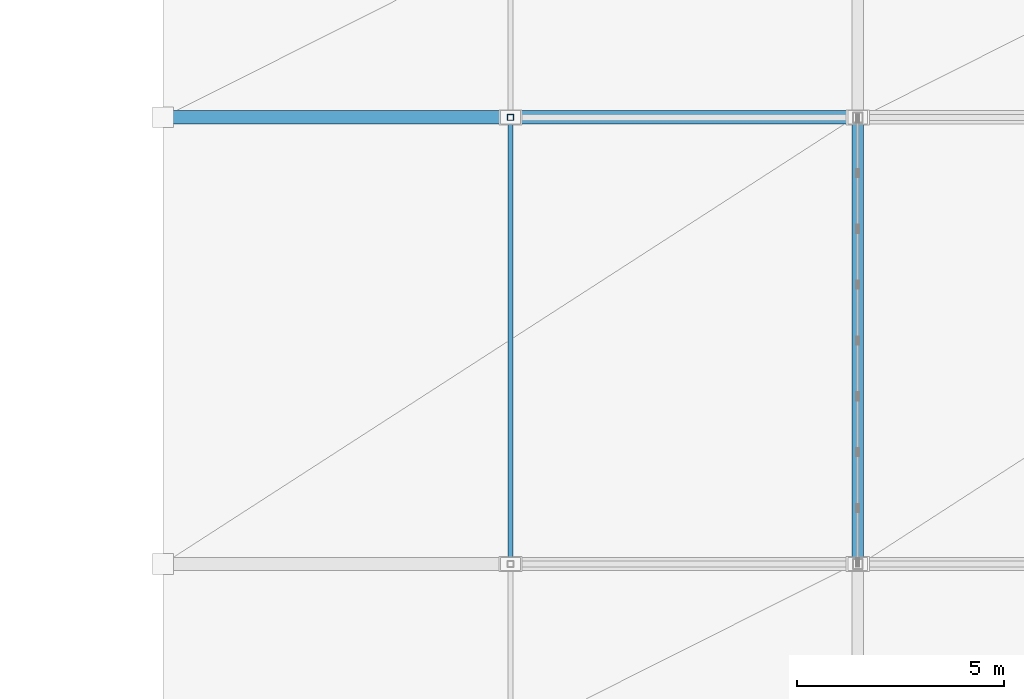
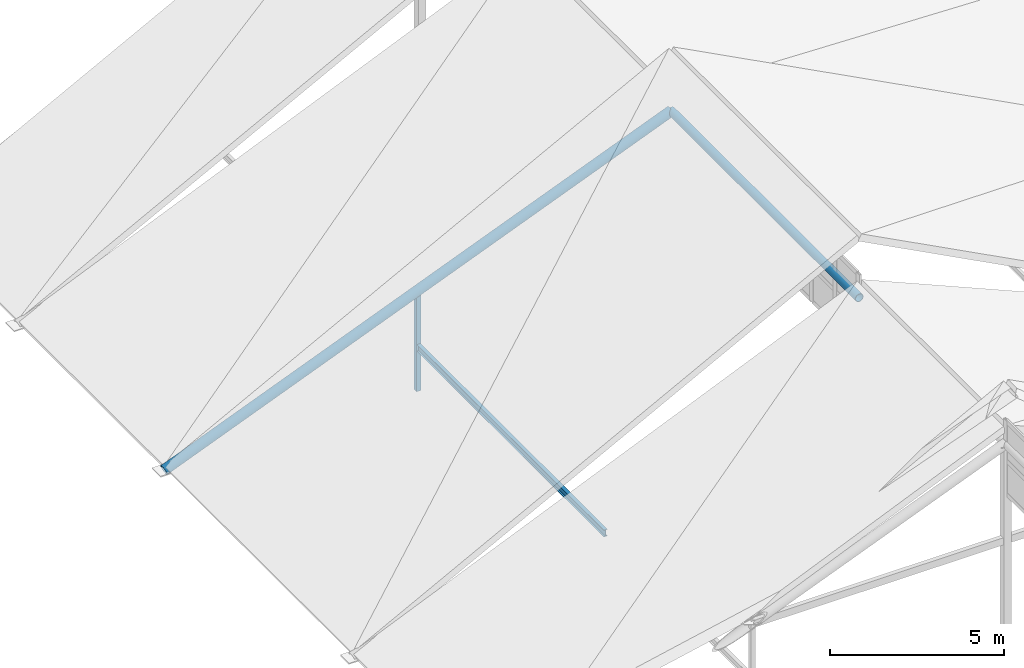
# One storey, part 30 of 76: 4 members.
"""IFC4 building model written with IfcOpenShell, lengths in metres."""

from ifc_helpers import new_model, si_unit, direction, frame, origin, origin_2d, place, context, subcontext, project, spatial, hollow_rectangle, hollow_circle, i_section, extrude, material, material_profile, profile_set, type_object, element, save


model = new_model("IFC4")

# Units and contexts
model_context = context("Model", 3, precision=1e-05, world=origin(), true_north=direction((0.0, 1.0)))
body_context = subcontext(model_context, "Body", "Model", "MODEL_VIEW")
ifc_project = project(units=[si_unit("LENGTHUNIT", "METRE"), si_unit("AREAUNIT", "SQUARE_METRE"), si_unit("VOLUMEUNIT", "CUBIC_METRE"), si_unit("PLANEANGLEUNIT", "RADIAN"), si_unit("MASSUNIT", "GRAM", prefix="KILO")], contexts=[model_context])

# Site, building, storey
site_placement = place(None, origin())
site = spatial("IfcSite", under=ifc_project, at=site_placement, CompositionType="ELEMENT")
building_placement = place(site_placement, origin())
building = spatial("IfcBuilding", under=site, at=building_placement, Name="Krzemoval Escarpment Law Courts", CompositionType="ELEMENT")
storey_placement = place(building_placement, frame((0.0, 0.0, 20.39990234375)))
storey = spatial("IfcBuildingStorey", under=building, at=storey_placement, Name="L04", CompositionType="ELEMENT", Elevation=20.39990234375)

# Members
ifc_material_1 = material(Name="Steel S355", Category="steel")
ifc_material_profile_1 = material_profile(ifc_material_1, hollow_circle(Radius=0.136474609375, WallThickness=0.012451171875, at=origin_2d()), Name="CHS 273x12.5")
ifc_profile_set_1 = profile_set([ifc_material_profile_1], Name="Steel S355")
member_type_1 = type_object("IfcMemberType", Name="MBR-CHD-CHS273", PredefinedType="CHORD", material=ifc_profile_set_1)
member_1_placement = place(storey_placement, frame((25.199951171875, 74.39990234375, 6.550048828125), z_axis=(0.0, 1.0, 0.0), x_axis=(-1.0, 0.0, 0.0)))
element("IfcMember", 1, at=member_1_placement, inside=storey, type_object=member_type_1, Name="Roof Truss Top Chord TC-0070", PredefinedType="CHORD", context=body_context, shape_type="SweptSolid", body=[
    extrude(hollow_circle(Radius=0.136474609375, WallThickness=0.012451171875, at=origin_2d()), origin(), (0.0, 0.0, 1.0), 10.800048828125),
])
ifc_material_2 = material(Name="Steel S355", Category="steel")
ifc_material_profile_2 = material_profile(ifc_material_2, hollow_circle(Radius=0.161865234375, WallThickness=0.01611328125, at=origin_2d()), Name="CHS 323.9x16")
ifc_profile_set_2 = profile_set([ifc_material_profile_2], Name="Steel S355")
member_type_2 = type_object("IfcMemberType", Name="MBR-CHD-CHS324", PredefinedType="CHORD", material=ifc_profile_set_2)
member_2_placement = place(storey_placement, frame((8.39990234375, 85.199951171875, -0.14990234375), z_axis=(0.928858805287, 0.0, 0.370433961511), x_axis=(0.0, 1.0, 0.0)))
element("IfcMember", 2, at=member_2_placement, inside=storey, type_object=member_type_2, Name="Roof Rafter Chord TC-0040", PredefinedType="CHORD", context=body_context, shape_type="SweptSolid", body=[
    extrude(hollow_circle(Radius=0.161865234375, WallThickness=0.01611328125, at=origin_2d()), origin(), (0.0, 0.0, 1.0), 18.086669921875),
])
ifc_material_3 = material(Name="Steel S355", Category="steel")
ifc_material_profile_3 = material_profile(ifc_material_3, i_section(OverallWidth=0.1201171875, OverallDepth=0.239990234375, WebThickness=0.006103515625, FlangeThickness=0.009765625, at=origin_2d()), Name="IPE 240")
ifc_profile_set_3 = profile_set([ifc_material_profile_3], Name="Steel S355")
member_type_3 = type_object("IfcMemberType", Name="MBR-PUR-IPE240", PredefinedType="PURLIN", material=ifc_profile_set_3)
member_3_placement = place(storey_placement, frame((16.800048828125, 74.39990234375, 1.25), z_axis=(0.0, 1.0, 0.0), x_axis=(-1.0, 0.0, 0.0)))
element("IfcMember", 3, at=member_3_placement, inside=storey, type_object=member_type_3, Name="Roof Purlin PR-0071", PredefinedType="PURLIN", context=body_context, shape_type="SweptSolid", body=[
    extrude(i_section(OverallWidth=0.1201171875, OverallDepth=0.239990234375, WebThickness=0.006103515625, FlangeThickness=0.009765625, at=origin_2d()), origin(), (0.0, 0.0, 1.0), 10.800048828125),
])
ifc_material_4 = material(Name="Steel S355", Category="steel")
ifc_material_profile_4 = material_profile(ifc_material_4, hollow_rectangle(XDim=0.14990234375, YDim=0.14990234375, WallThickness=0.008056640625, at=origin_2d()), Name="SHS 150x150x8")
ifc_profile_set_4 = profile_set([ifc_material_profile_4], Name="Steel S355")
member_type_4 = type_object("IfcMemberType", Name="MBR-STR-SHS150", PredefinedType="STRUT", material=ifc_profile_set_4)
member_4_placement = place(storey_placement, frame((16.800048828125, 85.199951171875, -0.27978515625), z_axis=(0.0, 0.0, 1.0), x_axis=(1.0, 0.0, 0.0)))
element("IfcMember", 4, at=member_4_placement, inside=storey, type_object=member_type_4, Name="Roof Truss Web Strut ST-0038", PredefinedType="STRUT", context=body_context, shape_type="SweptSolid", body=[
    extrude(hollow_rectangle(XDim=0.14990234375, YDim=0.14990234375, WallThickness=0.008056640625, at=origin_2d()), origin(), (0.0, 0.0, 1.0), 3.47998046875),
])

save(model, "model.ifc")
